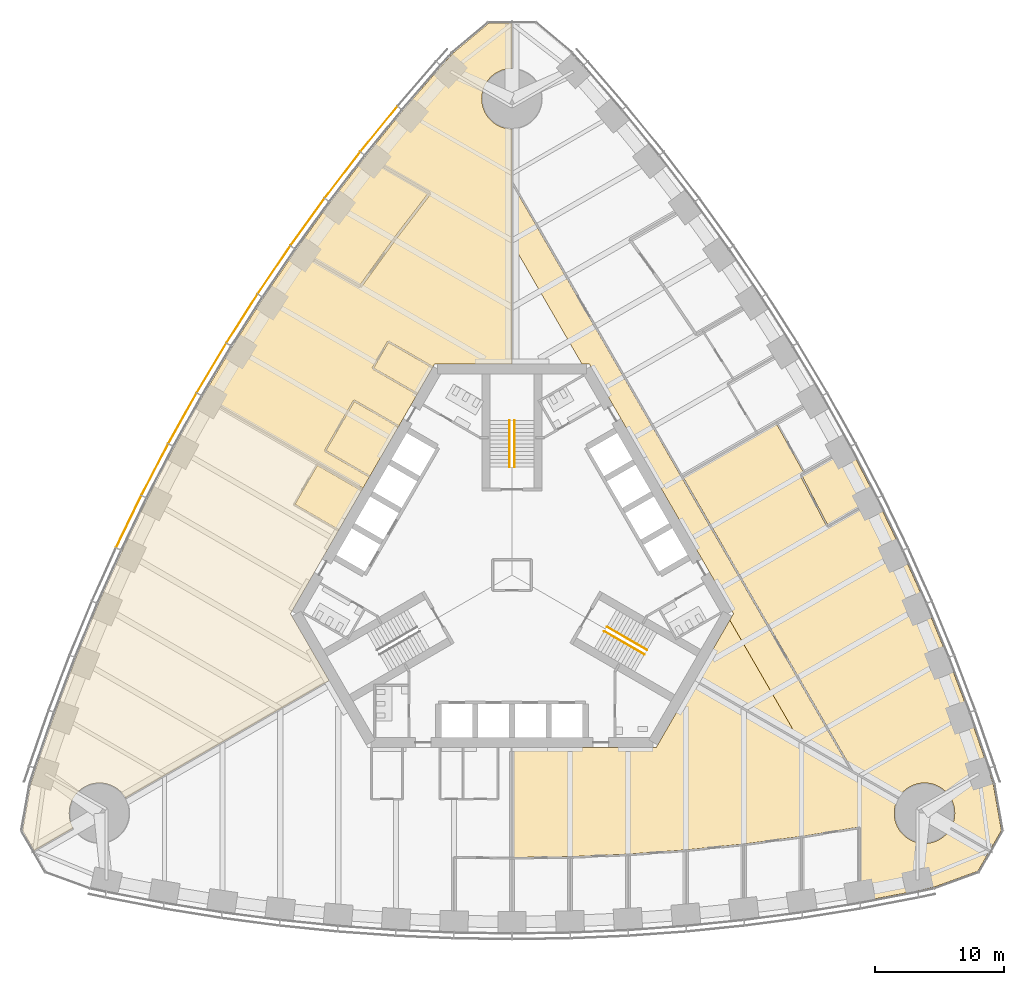
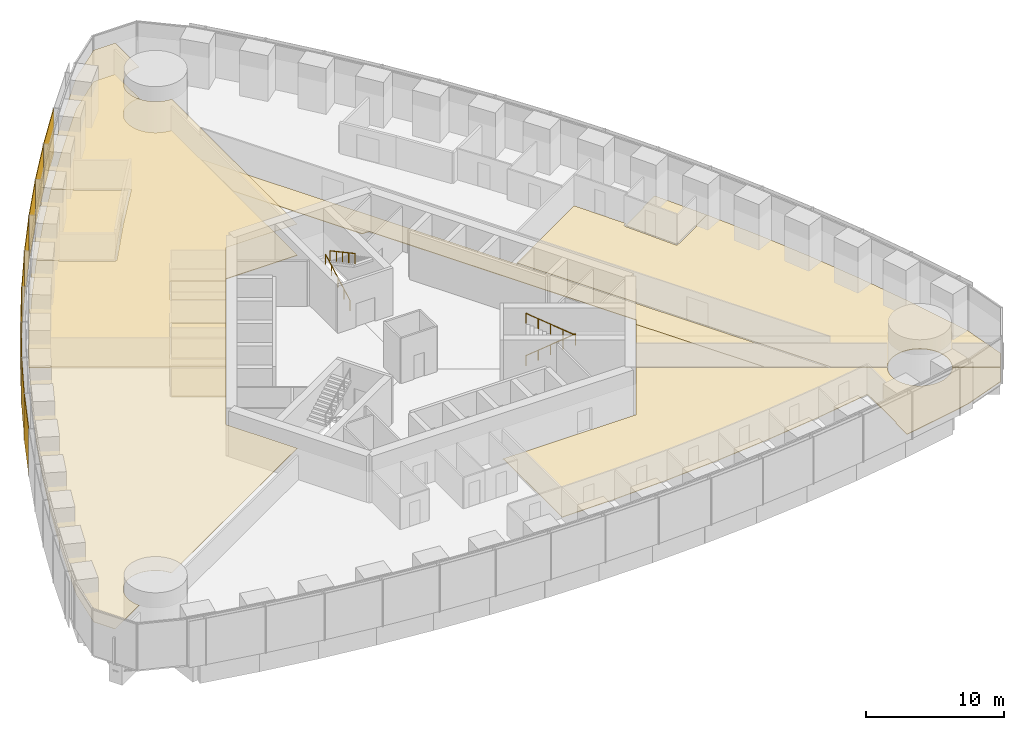
# One storey, part 15 of 18: 11 coverings, 9 shading devices, 4 railings.
"""IFC4 building model written with IfcOpenShell, lengths in metres."""

from ifc_helpers import new_model, si_unit, direction, frame, origin, origin_2d, place, context, subcontext, project, spatial, polyline, rectangle, circle, outline, extrude, material, layer, layer_set, type_object, element, save


model = new_model("IFC4")

# Units and contexts
model_context = context("Model", 3, precision=1e-05, world=origin(), true_north=direction((0.0, 1.0)))
body_context = subcontext(model_context, "Body", "Model", "MODEL_VIEW")
ifc_project = project(units=[si_unit("LENGTHUNIT", "METRE"), si_unit("AREAUNIT", "SQUARE_METRE"), si_unit("VOLUMEUNIT", "CUBIC_METRE"), si_unit("PLANEANGLEUNIT", "RADIAN"), si_unit("MASSUNIT", "GRAM", prefix="KILO")], contexts=[model_context])

# Site, building, storey
site_placement = place(None, origin())
site = spatial("IfcSite", under=ifc_project, at=site_placement, CompositionType="ELEMENT")
building_placement = place(site_placement, origin())
building = spatial("IfcBuilding", under=site, at=building_placement, Name="Trefoil Bronze Tower", CompositionType="ELEMENT")
storey_placement = place(building_placement, frame((0.0, 0.0, 66.89990234375)))
storey = spatial("IfcBuildingStorey", under=building, at=storey_placement, Name="L15", CompositionType="ELEMENT", Elevation=66.89990234375)

# Shading devices
ifc_material_1 = material(Name="Perforated bronze sheet", Category="bronze")
ifc_layer_1 = layer(ifc_material_1, 0.0400390625)
ifc_layer_set_1 = layer_set([ifc_layer_1], Name="Bronze solar screen panel")
shading_device_type = type_object("IfcShadingDeviceType", Name="Bronze solar screen panel", PredefinedType="SHUTTER", material=ifc_layer_set_1)
shading_device_1_placement = place(storey_placement, frame((-10.338623046875, 34.6474609375, 0.050048828125), z_axis=(0.0, 0.0, 1.0), x_axis=(-0.631810729457, -0.775122701346, 0.0)))
element("IfcShadingDevice", 1, at=shading_device_1_placement, inside=storey, type_object=shading_device_type, Name="Solar screen CW-A L15 F3 bay 3", PredefinedType="SHUTTER", context=body_context, shape_type="SweptSolid", body=[
    extrude(rectangle(XDim=4.5283203125, YDim=0.0400390625, at=origin_2d()), origin(), (0.0, 0.0, 1.0), 4.10009765625),
])
shading_device_2_placement = place(storey_placement, frame((-13.170166015625, 31.06787109375, 0.050048828125), z_axis=(0.0, 0.0, 1.0), x_axis=(-0.608807670879, -0.793317855515, 0.0)))
element("IfcShadingDevice", 2, at=shading_device_2_placement, inside=storey, type_object=shading_device_type, Name="Solar screen CW-A L15 F3 bay 4", PredefinedType="SHUTTER", context=body_context, shape_type="SweptSolid", body=[
    extrude(rectangle(XDim=4.5087890625, YDim=0.0400390625, at=origin_2d()), origin(), (0.0, 0.0, 1.0), 4.10009765625),
])
shading_device_3_placement = place(storey_placement, frame((-15.88525390625, 27.421142578125, 0.050048828125), z_axis=(0.0, 0.0, 1.0), x_axis=(-0.585372522213, -0.810764460394, 0.0)))
element("IfcShadingDevice", 3, at=shading_device_3_placement, inside=storey, type_object=shading_device_type, Name="Solar screen CW-A L15 F3 bay 5", PredefinedType="SHUTTER", context=body_context, shape_type="SweptSolid", body=[
    extrude(rectangle(XDim=4.493408203125, YDim=0.0400390625, at=origin_2d()), origin(), (0.0, 0.0, 1.0), 4.10009765625),
])
shading_device_4_placement = place(storey_placement, frame((-18.48486328125, 23.707763671875, 0.050048828125), z_axis=(0.0, 0.0, 1.0), x_axis=(-0.56150968077, -0.827470167681, 0.0)))
element("IfcShadingDevice", 4, at=shading_device_4_placement, inside=storey, type_object=shading_device_type, Name="Solar screen CW-A L15 F3 bay 6", PredefinedType="SHUTTER", context=body_context, shape_type="SweptSolid", body=[
    extrude(rectangle(XDim=4.48193359375, YDim=0.0400390625, at=origin_2d()), origin(), (0.0, 0.0, 1.0), 4.10009765625),
])
shading_device_5_placement = place(storey_placement, frame((-20.97021484375, 19.928466796875, 0.050048828125), z_axis=(0.0, 0.0, 1.0), x_axis=(-0.537222392469, -0.843440632783, 0.0)))
element("IfcShadingDevice", 5, at=shading_device_5_placement, inside=storey, type_object=shading_device_type, Name="Solar screen CW-A L15 F3 bay 7", PredefinedType="SHUTTER", context=body_context, shape_type="SweptSolid", body=[
    extrude(rectangle(XDim=4.474365234375, YDim=0.0400390625, at=origin_2d()), origin(), (0.0, 0.0, 1.0), 4.10009765625),
])
for number, where, z_axis, x_axis, name in (
    (6, (-23.341552734375, 16.083251953125, 0.050048828125), (0.0, 0.0, 1.0), (-0.51251279404, -0.858679588639, 0.0), "Solar screen CW-A L15 F3 bay 8"),
    (7, (-25.599365234375, 12.172607421875, 0.050048828125), (0.0, 0.0, 1.0), (-0.487381940453, -0.873188893722, 0.0), "Solar screen CW-A L15 F3 bay 9"),
):
    element("IfcShadingDevice", number, at=place(storey_placement, frame(where, z_axis=z_axis, x_axis=x_axis)), inside=storey, type_object=shading_device_type, Name=name, PredefinedType="SHUTTER", context=body_context, shape_type="SweptSolid", body=[
        extrude(rectangle(XDim=4.470458984375, YDim=0.0400390625, at=origin_2d()), origin(), (0.0, 0.0, 1.0), 4.10009765625),
    ])
shading_device_6_placement = place(storey_placement, frame((-27.74365234375, 8.1962890625, 0.050048828125), z_axis=(0.0, 0.0, 1.0), x_axis=(-0.46182981834, -0.886968555752, 0.0)))
element("IfcShadingDevice", 8, at=shading_device_6_placement, inside=storey, type_object=shading_device_type, Name="Solar screen CW-A L15 F3 bay 10", PredefinedType="SHUTTER", context=body_context, shape_type="SweptSolid", body=[
    extrude(rectangle(XDim=4.474365234375, YDim=0.0400390625, at=origin_2d()), origin(), (0.0, 0.0, 1.0), 4.10009765625),
])
shading_device_7_placement = place(storey_placement, frame((-29.77392578125, 4.154541015625, 0.050048828125), z_axis=(0.0, 0.0, 1.0), x_axis=(-0.4358553457, -0.900016731858, 0.0)))
element("IfcShadingDevice", 9, at=shading_device_7_placement, inside=storey, type_object=shading_device_type, Name="Solar screen CW-A L15 F3 bay 11", PredefinedType="SHUTTER", context=body_context, shape_type="SweptSolid", body=[
    extrude(rectangle(XDim=4.48193359375, YDim=0.0400390625, at=origin_2d()), origin(), (0.0, 0.0, 1.0), 4.10009765625),
])

# Railings
ifc_material_2 = material(Name="Steel handrail", Category="steel")
railing_type = type_object("IfcRailingType", Name="Handrail 900", PredefinedType="HANDRAIL", material=ifc_material_2)
railing_1_placement = place(storey_placement, frame((7.365966796875, -4.021728515625, 0.16162109375)))
element("IfcRailing", 10, at=railing_1_placement, inside=storey, type_object=railing_type, Name="Handrail ST1 flight 1 L15", PredefinedType="HANDRAIL", context=body_context, shape_type="SweptSolid", body=[
    extrude(circle(Radius=0.02392578125, at=origin_2d()), frame((0.0, 0.0, 0.8759765625), z_axis=(0.76250339821, -0.440245697338, 0.474101564745), x_axis=(0.500012057535, 0.866018442252, 0.0)), (0.0, 0.0, 1.0), 4.088623046875),
    extrude(circle(Radius=0.02099609375, at=origin_2d()), origin(), (0.0, 0.0, 1.0), 0.851806640625),
    extrude(circle(Radius=0.02099609375, at=origin_2d()), frame((0.779296875, -0.449951171875, 0.484619140625)), (0.0, 0.0, 1.0), 0.851806640625),
    extrude(circle(Radius=0.02099609375, at=origin_2d()), frame((1.558837890625, -0.89990234375, 0.96923828125)), (0.0, 0.0, 1.0), 0.851806640625),
    extrude(circle(Radius=0.02099609375, at=origin_2d()), frame((2.33837890625, -1.35009765625, 1.453857421875)), (0.0, 0.0, 1.0), 0.851806640625),
    extrude(circle(Radius=0.02099609375, at=origin_2d()), frame((3.11767578125, -1.800048828125, 1.9384765625)), (0.0, 0.0, 1.0), 0.851806640625),
])
railing_2_placement = place(storey_placement, frame((10.28369140625, -6.168212890625, 2.26171875)))
element("IfcRailing", 11, at=railing_2_placement, inside=storey, type_object=railing_type, Name="Handrail ST1 flight 2 L15", PredefinedType="HANDRAIL", context=body_context, shape_type="SweptSolid", body=[
    extrude(circle(Radius=0.02392578125, at=origin_2d()), frame((0.0, 0.0, 0.8759765625), z_axis=(-0.76250339821, 0.440245697338, 0.474101564745), x_axis=(-0.500012057535, -0.866018442252, 0.0)), (0.0, 0.0, 1.0), 4.088623046875),
    extrude(circle(Radius=0.02099609375, at=origin_2d()), origin(), (0.0, 0.0, 1.0), 0.851806640625),
    extrude(circle(Radius=0.02099609375, at=origin_2d()), frame((-0.779296875, 0.449951171875, 0.484619140625)), (0.0, 0.0, 1.0), 0.851806640625),
    extrude(circle(Radius=0.02099609375, at=origin_2d()), frame((-1.558837890625, 0.89990234375, 0.96923828125)), (0.0, 0.0, 1.0), 0.851806640625),
    extrude(circle(Radius=0.02099609375, at=origin_2d()), frame((-2.33837890625, 1.35009765625, 1.453857421875)), (0.0, 0.0, 1.0), 0.851806640625),
    extrude(circle(Radius=0.02099609375, at=origin_2d()), frame((-3.11767578125, 1.800048828125, 1.9384765625)), (0.0, 0.0, 1.0), 0.851806640625),
])
railing_3_placement = place(storey_placement, frame((-0.199951171875, 8.389892578125, 0.16162109375)))
element("IfcRailing", 12, at=railing_3_placement, inside=storey, type_object=railing_type, Name="Handrail ST2 flight 1 L15", PredefinedType="HANDRAIL", context=body_context, shape_type="SweptSolid", body=[
    extrude(circle(Radius=0.02392578125, at=origin_2d()), frame((0.0, 0.0, 0.8759765625), z_axis=(0.0, 0.880474934443, 0.474092701714), x_axis=(-1.0, 0.0, 0.0)), (0.0, 0.0, 1.0), 4.0888671875),
    extrude(circle(Radius=0.02099609375, at=origin_2d()), origin(), (0.0, 0.0, 1.0), 0.851806640625),
    extrude(circle(Radius=0.02099609375, at=origin_2d()), frame((0.0, 0.89990234375, 0.484619140625)), (0.0, 0.0, 1.0), 0.851806640625),
    extrude(circle(Radius=0.02099609375, at=origin_2d()), frame((0.0, 1.800048828125, 0.96923828125)), (0.0, 0.0, 1.0), 0.851806640625),
    extrude(circle(Radius=0.02099609375, at=origin_2d()), frame((0.0, 2.7001953125, 1.453857421875)), (0.0, 0.0, 1.0), 0.851806640625),
    extrude(circle(Radius=0.02099609375, at=origin_2d()), frame((0.0, 3.60009765625, 1.9384765625)), (0.0, 0.0, 1.0), 0.851806640625),
])
railing_4_placement = place(storey_placement, frame((0.199951171875, 11.989990234375, 2.26171875)))
element("IfcRailing", 13, at=railing_4_placement, inside=storey, type_object=railing_type, Name="Handrail ST2 flight 2 L15", PredefinedType="HANDRAIL", context=body_context, shape_type="SweptSolid", body=[
    extrude(circle(Radius=0.02392578125, at=origin_2d()), frame((0.0, 0.0, 0.8759765625), z_axis=(0.0, -0.880474934443, 0.474092701714), x_axis=(1.0, 0.0, 0.0)), (0.0, 0.0, 1.0), 4.0888671875),
    extrude(circle(Radius=0.02099609375, at=origin_2d()), origin(), (0.0, 0.0, 1.0), 0.851806640625),
    extrude(circle(Radius=0.02099609375, at=origin_2d()), frame((0.0, -0.89990234375, 0.484619140625)), (0.0, 0.0, 1.0), 0.851806640625),
    extrude(circle(Radius=0.02099609375, at=origin_2d()), frame((0.0, -1.800048828125, 0.96923828125)), (0.0, 0.0, 1.0), 0.851806640625),
    extrude(circle(Radius=0.02099609375, at=origin_2d()), frame((0.0, -2.7001953125, 1.453857421875)), (0.0, 0.0, 1.0), 0.851806640625),
    extrude(circle(Radius=0.02099609375, at=origin_2d()), frame((0.0, -3.60009765625, 1.9384765625)), (0.0, 0.0, 1.0), 0.851806640625),
])

# Coverings
ifc_material_3 = material(Name="Acoustic ceiling panels", Category="mineral fibre")
ifc_layer_2 = layer(ifc_material_3, 0.02001953125)
ifc_layer_set_2 = layer_set([ifc_layer_2], Name="Office ceiling 20")
covering_type_1 = type_object("IfcCoveringType", Name="Office ceiling 20", PredefinedType="CEILING", material=ifc_layer_set_2)
covering_1_placement = place(storey_placement, frame((0.0, 0.0, 2.900146484375)))
element("IfcCovering", 14, at=covering_1_placement, inside=storey, type_object=covering_type_1, Name="Ceiling L15 Open-plan office F3", PredefinedType="CEILING", context=body_context, shape_type="SweptSolid", body=[
    extrude(outline(polyline([(-36.9814453125, -15.021728515625), (-35.47998046875, -10.6923828125), (-33.860107421875, -6.431640625), (-32.123291015625, -2.23828125), (-30.271240234375, 1.888671875), (-28.3046875, 5.949462890625), (-26.224609375, 9.944580078125), (-24.031005859375, 13.87451171875), (-21.724609375, 17.73876953125), (-19.3046875, 21.537841796875), (-16.771240234375, 25.271484375), (-14.123291015625, 28.938720703125), (-11.360107421875, 32.53955078125), (-8.47998046875, 36.072998046875), (-5.4814453125, 39.537841796875), (-4.618896484375, 40.497314453125), (-1.82421875, 42.84228515625), (-0.01611328125, 42.84228515625), (-0.014892578125, 39.349609375), (-0.115234375, 39.34716796875), (-0.230224609375, 39.338623046875), (-0.3447265625, 39.32470703125), (-0.45849609375, 39.3046875), (-0.571044921875, 39.279541015625), (-0.68212890625, 39.248779296875), (-0.791748046875, 39.212646484375), (-0.8994140625, 39.171142578125), (-1.0048828125, 39.12451171875), (-1.10791015625, 39.072509765625), (-1.2080078125, 39.015625), (-1.3056640625, 38.9541015625), (-1.39990234375, 38.887451171875), (-1.49072265625, 38.816650390625), (-1.578125, 38.7412109375), (-1.66162109375, 38.66162109375), (-1.7412109375, 38.578125), (-1.816650390625, 38.49072265625), (-1.887451171875, 38.39990234375), (-1.9541015625, 38.3056640625), (-2.015625, 38.2080078125), (-2.072509765625, 38.10791015625), (-2.12451171875, 38.0048828125), (-2.171142578125, 37.8994140625), (-2.212646484375, 37.791748046875), (-2.248779296875, 37.68212890625), (-2.279541015625, 37.571044921875), (-2.3046875, 37.45849609375), (-2.32470703125, 37.3447265625), (-2.338623046875, 37.230224609375), (-2.34716796875, 37.115234375), (-2.35009765625, 37.0), (-2.34716796875, 36.884765625), (-2.338623046875, 36.769775390625), (-2.32470703125, 36.6552734375), (-2.3046875, 36.54150390625), (-2.279541015625, 36.428955078125), (-2.248779296875, 36.31787109375), (-2.212646484375, 36.208251953125), (-2.171142578125, 36.1005859375), (-2.12451171875, 35.9951171875), (-2.072509765625, 35.89208984375), (-2.015625, 35.7919921875), (-1.9541015625, 35.6943359375), (-1.887451171875, 35.60009765625), (-1.816650390625, 35.50927734375), (-1.7412109375, 35.421875), (-1.66162109375, 35.33837890625), (-1.578125, 35.2587890625), (-1.49072265625, 35.183349609375), (-1.39990234375, 35.112548828125), (-1.3056640625, 35.0458984375), (-1.2080078125, 34.984375), (-1.10791015625, 34.927490234375), (-1.0048828125, 34.87548828125), (-0.8994140625, 34.828857421875), (-0.791748046875, 34.787353515625), (-0.68212890625, 34.751220703125), (-0.571044921875, 34.720458984375), (-0.45849609375, 34.6953125), (-0.3447265625, 34.67529296875), (-0.230224609375, 34.661376953125), (-0.115234375, 34.65283203125), (-0.012939453125, 34.650390625), (-0.006103515625, 16.39990234375), (-6.00439453125, 16.39990234375), (-17.205078125, -3.0), (-14.205810546875, -8.194580078125), (-30.0146484375, -17.31396484375), (-30.02734375, -17.2919921875), (-30.089111328125, -17.1943359375), (-30.155517578125, -17.10009765625), (-30.226318359375, -17.00927734375), (-30.3017578125, -16.921875), (-30.381103515625, -16.83837890625), (-30.46484375, -16.7587890625), (-30.552001953125, -16.683349609375), (-30.64306640625, -16.612548828125), (-30.7373046875, -16.5458984375), (-30.834716796875, -16.484375), (-30.935302734375, -16.427490234375), (-31.0380859375, -16.37548828125), (-31.1435546875, -16.328857421875), (-31.251220703125, -16.287353515625), (-31.36083984375, -16.251220703125), (-31.471923828125, -16.220458984375), (-31.58447265625, -16.1953125), (-31.697998046875, -16.17529296875), (-31.8125, -16.161376953125), (-31.927490234375, -16.15283203125), (-32.04296875, -16.14990234375), (-32.158203125, -16.15283203125), (-32.273193359375, -16.161376953125), (-32.3876953125, -16.17529296875), (-32.50146484375, -16.1953125), (-32.614013671875, -16.220458984375), (-32.72509765625, -16.251220703125), (-32.834716796875, -16.287353515625), (-32.942138671875, -16.328857421875), (-33.047607421875, -16.37548828125), (-33.150634765625, -16.427490234375), (-33.251220703125, -16.484375), (-33.348388671875, -16.5458984375), (-33.44287109375, -16.612548828125), (-33.53369140625, -16.683349609375), (-33.62109375, -16.7587890625), (-33.70458984375, -16.83837890625), (-33.7841796875, -16.921875), (-33.859619140625, -17.00927734375), (-33.930419921875, -17.10009765625), (-33.996826171875, -17.1943359375), (-34.05859375, -17.2919921875), (-34.115478515625, -17.39208984375), (-34.167236328125, -17.4951171875), (-34.214111328125, -17.6005859375), (-34.255615234375, -17.708251953125), (-34.291748046875, -17.81787109375), (-34.322509765625, -17.928955078125), (-34.347900390625, -18.04150390625), (-34.367431640625, -18.1552734375), (-34.381591796875, -18.269775390625), (-34.39013671875, -18.384765625), (-34.392822265625, -18.5), (-34.39013671875, -18.615234375), (-34.381591796875, -18.730224609375), (-34.367431640625, -18.8447265625), (-34.347900390625, -18.95849609375), (-34.322509765625, -19.071044921875), (-34.291748046875, -19.18212890625), (-34.255615234375, -19.291748046875), (-34.214111328125, -19.3994140625), (-34.167236328125, -19.5048828125), (-34.115478515625, -19.60791015625), (-34.084716796875, -19.661865234375), (-37.110595703125, -21.4072265625), (-38.0146484375, -19.841552734375), (-37.381103515625, -16.248779296875), (-36.9814453125, -15.021728515625)])), origin(), (0.0, 0.0, 1.0), 0.02001953125),
])
ifc_material_4 = material(Name="Raised access floor panels", Category="steel")
ifc_layer_3 = layer(ifc_material_4, 0.050048828125)
ifc_layer_set_3 = layer_set([ifc_layer_3], Name="Raised access floor 150")
covering_type_2 = type_object("IfcCoveringType", Name="Raised access floor 150", PredefinedType="FLOORING", material=ifc_layer_set_3)
covering_2_placement = place(storey_placement, frame((0.0, 0.0, 0.10009765625)))
element("IfcCovering", 15, at=covering_2_placement, inside=storey, type_object=covering_type_2, Name="Raised floor L15 Open-plan office F1", PredefinedType="FLOORING", context=body_context, shape_type="SweptSolid", body=[
    extrude(outline(polyline([(27.0, -23.72509765625), (27.06005859375, -23.72509765625), (27.06005859375, -19.63037109375), (27.0, -19.63037109375), (26.990478515625, -19.571044921875), (22.4912109375, -20.298583984375), (17.992919921875, -20.89111328125), (13.494873046875, -21.350341796875), (8.99658203125, -21.677490234375), (4.498291015625, -21.873291015625), (0.074951171875, -21.9375), (0.074951171875, -13.409912109375), (0.0009765625, -13.409912109375), (0.0009765625, -13.39990234375), (11.20068359375, -13.39990234375), (14.19970703125, -8.205322265625), (30.001953125, -17.336669921875), (29.970458984375, -17.39208984375), (29.918701171875, -17.4951171875), (29.871826171875, -17.6005859375), (29.830322265625, -17.708251953125), (29.794189453125, -17.81787109375), (29.763427734375, -17.928955078125), (29.738037109375, -18.04150390625), (29.718505859375, -18.1552734375), (29.704345703125, -18.269775390625), (29.69580078125, -18.384765625), (29.69287109375, -18.5), (29.69580078125, -18.615234375), (29.704345703125, -18.730224609375), (29.718505859375, -18.8447265625), (29.738037109375, -18.95849609375), (29.763427734375, -19.071044921875), (29.794189453125, -19.18212890625), (29.830322265625, -19.291748046875), (29.871826171875, -19.3994140625), (29.918701171875, -19.5048828125), (29.970458984375, -19.60791015625), (30.02734375, -19.7080078125), (30.089111328125, -19.8056640625), (30.155517578125, -19.89990234375), (30.226318359375, -19.99072265625), (30.3017578125, -20.078125), (30.381103515625, -20.16162109375), (30.46484375, -20.2412109375), (30.552001953125, -20.316650390625), (30.64306640625, -20.387451171875), (30.7373046875, -20.4541015625), (30.834716796875, -20.515625), (30.935302734375, -20.572509765625), (31.0380859375, -20.62451171875), (31.1435546875, -20.671142578125), (31.251220703125, -20.712646484375), (31.36083984375, -20.748779296875), (31.471923828125, -20.779541015625), (31.58447265625, -20.8046875), (31.697998046875, -20.82470703125), (31.8125, -20.838623046875), (31.927490234375, -20.84716796875), (32.04296875, -20.85009765625), (32.158203125, -20.84716796875), (32.273193359375, -20.838623046875), (32.3876953125, -20.82470703125), (32.50146484375, -20.8046875), (32.614013671875, -20.779541015625), (32.72509765625, -20.748779296875), (32.834716796875, -20.712646484375), (32.942138671875, -20.671142578125), (33.047607421875, -20.62451171875), (33.150634765625, -20.572509765625), (33.251220703125, -20.515625), (33.348388671875, -20.4541015625), (33.44287109375, -20.387451171875), (33.53369140625, -20.316650390625), (33.62109375, -20.2412109375), (33.70458984375, -20.16162109375), (33.7841796875, -20.078125), (33.859619140625, -19.99072265625), (33.930419921875, -19.89990234375), (33.996826171875, -19.8056640625), (34.0703125, -19.6875), (37.094482421875, -21.43505859375), (36.190673828125, -23.0009765625), (32.762451171875, -24.248779296875), (31.5, -24.51611328125), (27.0, -25.38037109375), (27.0, -23.72509765625)])), origin(), (0.0, 0.0, 1.0), 0.050048828125),
])
covering_3_placement = place(storey_placement, frame((0.0, 0.0, 0.10009765625)))
element("IfcCovering", 16, at=covering_3_placement, inside=storey, type_object=covering_type_2, Name="Raised floor L15 Pantry F2", PredefinedType="FLOORING", context=body_context, shape_type="SweptSolid", body=[
    extrude(outline(polyline([(26.224609375, 9.944580078125), (28.3046875, 5.949462890625), (26.890869140625, 5.133056640625), (26.86083984375, 5.18505859375), (24.54443359375, 3.84765625), (22.519775390625, 7.736328125), (24.84228515625, 9.077392578125), (24.812255859375, 9.12939453125), (26.224609375, 9.944580078125)])), origin(), (0.0, 0.0, 1.0), 0.050048828125),
])
covering_4_placement = place(storey_placement, frame((0.0, 0.0, 0.10009765625)))
element("IfcCovering", 17, at=covering_4_placement, inside=storey, type_object=covering_type_2, Name="Raised floor L15 Corridor F2", PredefinedType="FLOORING", context=body_context, shape_type="SweptSolid", body=[
    extrude(outline(polyline([(26.31591796875, -15.180419921875), (22.333740234375, -12.88330078125), (16.91650390625, -3.5), (17.205078125, -3.0), (6.00439453125, 16.39990234375), (5.427001953125, 16.39990234375), (0.009765625, 25.783203125), (0.011474609375, 30.38037109375), (26.31591796875, -15.180419921875)])), origin(), (0.0, 0.0, 1.0), 0.050048828125),
])
covering_5_placement = place(storey_placement, frame((0.0, 0.0, 0.10009765625)))
element("IfcCovering", 18, at=covering_5_placement, inside=storey, type_object=covering_type_2, Name="Raised floor L15 Open-plan office F2", PredefinedType="FLOORING", context=body_context, shape_type="SweptSolid", body=[
    extrude(outline(polyline([(30.089111328125, -17.1943359375), (30.02734375, -17.2919921875), (30.0146484375, -17.31396484375), (26.40966796875, -15.234375), (26.466552734375, -15.201416015625), (13.304931640625, 7.594970703125), (20.52978515625, 11.766357421875), (22.65771484375, 7.95458984375), (22.409912109375, 7.8115234375), (22.43994140625, 7.759521484375), (22.38671875, 7.73193359375), (24.467041015625, 3.73681640625), (24.520263671875, 3.764404296875), (24.55029296875, 3.71240234375), (26.9208984375, 5.0810546875), (26.890869140625, 5.133056640625), (28.3046875, 5.949462890625), (30.271240234375, 1.888671875), (32.123291015625, -2.23828125), (33.860107421875, -6.431640625), (35.47998046875, -10.6923828125), (36.9814453125, -15.021728515625), (37.381103515625, -16.248779296875), (38.0146484375, -19.841552734375), (37.110595703125, -21.4072265625), (34.084716796875, -19.661865234375), (34.115478515625, -19.60791015625), (34.167236328125, -19.5048828125), (34.214111328125, -19.3994140625), (34.255615234375, -19.291748046875), (34.291748046875, -19.18212890625), (34.322509765625, -19.071044921875), (34.347900390625, -18.95849609375), (34.367431640625, -18.8447265625), (34.381591796875, -18.730224609375), (34.39013671875, -18.615234375), (34.392822265625, -18.5), (34.39013671875, -18.384765625), (34.381591796875, -18.269775390625), (34.367431640625, -18.1552734375), (34.347900390625, -18.04150390625), (34.322509765625, -17.928955078125), (34.291748046875, -17.81787109375), (34.255615234375, -17.708251953125), (34.214111328125, -17.6005859375), (34.167236328125, -17.4951171875), (34.115478515625, -17.39208984375), (34.05859375, -17.2919921875), (33.996826171875, -17.1943359375), (33.930419921875, -17.10009765625), (33.859619140625, -17.00927734375), (33.7841796875, -16.921875), (33.70458984375, -16.83837890625), (33.62109375, -16.7587890625), (33.53369140625, -16.683349609375), (33.44287109375, -16.612548828125), (33.348388671875, -16.5458984375), (33.251220703125, -16.484375), (33.150634765625, -16.427490234375), (33.047607421875, -16.37548828125), (32.942138671875, -16.328857421875), (32.834716796875, -16.287353515625), (32.72509765625, -16.251220703125), (32.614013671875, -16.220458984375), (32.50146484375, -16.1953125), (32.3876953125, -16.17529296875), (32.273193359375, -16.161376953125), (32.158203125, -16.15283203125), (32.04296875, -16.14990234375), (31.927490234375, -16.15283203125), (31.8125, -16.161376953125), (31.697998046875, -16.17529296875), (31.58447265625, -16.1953125), (31.471923828125, -16.220458984375), (31.36083984375, -16.251220703125), (31.251220703125, -16.287353515625), (31.1435546875, -16.328857421875), (31.0380859375, -16.37548828125), (30.935302734375, -16.427490234375), (30.834716796875, -16.484375), (30.7373046875, -16.5458984375), (30.64306640625, -16.612548828125), (30.552001953125, -16.683349609375), (30.46484375, -16.7587890625), (30.381103515625, -16.83837890625), (30.3017578125, -16.921875), (30.226318359375, -17.00927734375), (30.155517578125, -17.10009765625), (30.089111328125, -17.1943359375)])), origin(), (0.0, 0.0, 1.0), 0.050048828125),
])
covering_6_placement = place(storey_placement, frame((0.0, 0.0, 0.10009765625)))
element("IfcCovering", 19, at=covering_6_placement, inside=storey, type_object=covering_type_2, Name="Raised floor L15 Open-plan office F2", PredefinedType="FLOORING", context=body_context, shape_type="SweptSolid", body=[
    extrude(outline(polyline([(22.333740234375, -12.88330078125), (14.205810546875, -8.194580078125), (16.91650390625, -3.5), (22.333740234375, -12.88330078125)])), origin(), (0.0, 0.0, 1.0), 0.050048828125),
])
covering_7_placement = place(storey_placement, frame((0.0, 0.0, 0.10009765625)))
element("IfcCovering", 20, at=covering_7_placement, inside=storey, type_object=covering_type_2, Name="Raised floor L15 Project room F3", PredefinedType="FLOORING", context=body_context, shape_type="SweptSolid", body=[
    extrude(outline(polyline([(-11.024658203125, 7.70458984375), (-14.43701171875, 9.674560546875), (-12.246826171875, 13.4677734375), (-8.834716796875, 11.497802734375), (-11.024658203125, 7.70458984375)])), origin(), (0.0, 0.0, 1.0), 0.050048828125),
])
covering_8_placement = place(storey_placement, frame((0.0, 0.0, 0.10009765625)))
element("IfcCovering", 21, at=covering_8_placement, inside=storey, type_object=covering_type_2, Name="Raised floor L15 Meeting room F3", PredefinedType="FLOORING", context=body_context, shape_type="SweptSolid", body=[
    extrude(outline(polyline([(-13.437255859375, 3.52587890625), (-16.849365234375, 5.49609375), (-15.109375, 8.509765625), (-11.697265625, 6.539794921875), (-13.437255859375, 3.52587890625)])), origin(), (0.0, 0.0, 1.0), 0.050048828125),
])
covering_9_placement = place(storey_placement, frame((0.0, 0.0, 0.10009765625)))
element("IfcCovering", 22, at=covering_9_placement, inside=storey, type_object=covering_type_2, Name="Raised floor L15 Store F3", PredefinedType="FLOORING", context=body_context, shape_type="SweptSolid", body=[
    extrude(outline(polyline([(-7.32470703125, 14.11328125), (-10.73681640625, 16.083251953125), (-9.596923828125, 18.0576171875), (-6.184814453125, 16.087646484375), (-7.32470703125, 14.11328125)])), origin(), (0.0, 0.0, 1.0), 0.050048828125),
])
covering_10_placement = place(storey_placement, frame((0.0, 0.0, 0.10009765625)))
element("IfcCovering", 23, at=covering_10_placement, inside=storey, type_object=covering_type_2, Name="Raised floor L15 Training room F3", PredefinedType="FLOORING", context=body_context, shape_type="SweptSolid", body=[
    extrude(outline(polyline([(-14.123291015625, 28.938720703125), (-11.360107421875, 32.53955078125), (-9.93359375, 31.7158203125), (-9.9833984375, 31.62939453125), (-6.529296875, 29.635009765625), (-9.22314453125, 26.12451171875), (-9.143798828125, 26.063720703125), (-9.224853515625, 26.122314453125), (-11.81982421875, 22.528076171875), (-15.30419921875, 24.539794921875), (-15.354248046875, 24.453369140625), (-16.771240234375, 25.271484375), (-14.123291015625, 28.938720703125)])), origin(), (0.0, 0.0, 1.0), 0.050048828125),
])
covering_11_placement = place(storey_placement, frame((0.0, 0.0, 0.10009765625)))
element("IfcCovering", 24, at=covering_11_placement, inside=storey, type_object=covering_type_2, Name="Raised floor L15 Open-plan office F3", PredefinedType="FLOORING", context=body_context, shape_type="SweptSolid", body=[
    extrude(outline(polyline([(-24.030517578125, 13.875244140625), (-21.724609375, 17.73876953125), (-19.3046875, 21.537841796875), (-16.771240234375, 25.271484375), (-15.354248046875, 24.453369140625), (-15.404296875, 24.36669921875), (-11.841552734375, 22.309814453125), (-11.79150390625, 22.396484375), (-11.710693359375, 22.337890625), (-9.0634765625, 26.00390625), (-6.301025390625, 29.603515625), (-6.380615234375, 29.66455078125), (-6.33056640625, 29.751220703125), (-9.883544921875, 31.802490234375), (-9.93359375, 31.7158203125), (-11.360107421875, 32.53955078125), (-8.47998046875, 36.072998046875), (-5.4814453125, 39.537841796875), (-4.618896484375, 40.497314453125), (-1.82421875, 42.84228515625), (-0.01611328125, 42.84228515625), (-0.014892578125, 39.349609375), (-0.115234375, 39.34716796875), (-0.230224609375, 39.338623046875), (-0.3447265625, 39.32470703125), (-0.45849609375, 39.3046875), (-0.571044921875, 39.279541015625), (-0.68212890625, 39.248779296875), (-0.791748046875, 39.212646484375), (-0.8994140625, 39.171142578125), (-1.0048828125, 39.12451171875), (-1.10791015625, 39.072509765625), (-1.2080078125, 39.015625), (-1.3056640625, 38.9541015625), (-1.39990234375, 38.887451171875), (-1.49072265625, 38.816650390625), (-1.578125, 38.7412109375), (-1.66162109375, 38.66162109375), (-1.7412109375, 38.578125), (-1.816650390625, 38.49072265625), (-1.887451171875, 38.39990234375), (-1.9541015625, 38.3056640625), (-2.015625, 38.2080078125), (-2.072509765625, 38.10791015625), (-2.12451171875, 38.0048828125), (-2.171142578125, 37.8994140625), (-2.212646484375, 37.791748046875), (-2.248779296875, 37.68212890625), (-2.279541015625, 37.571044921875), (-2.3046875, 37.45849609375), (-2.32470703125, 37.3447265625), (-2.338623046875, 37.230224609375), (-2.34716796875, 37.115234375), (-2.35009765625, 37.0), (-2.34716796875, 36.884765625), (-2.338623046875, 36.769775390625), (-2.32470703125, 36.6552734375), (-2.3046875, 36.54150390625), (-2.279541015625, 36.428955078125), (-2.248779296875, 36.31787109375), (-2.212646484375, 36.208251953125), (-2.171142578125, 36.1005859375), (-2.12451171875, 35.9951171875), (-2.072509765625, 35.89208984375), (-2.015625, 35.7919921875), (-1.9541015625, 35.6943359375), (-1.887451171875, 35.60009765625), (-1.816650390625, 35.50927734375), (-1.7412109375, 35.421875), (-1.66162109375, 35.33837890625), (-1.578125, 35.2587890625), (-1.49072265625, 35.183349609375), (-1.39990234375, 35.112548828125), (-1.3056640625, 35.0458984375), (-1.2080078125, 34.984375), (-1.10791015625, 34.927490234375), (-1.0048828125, 34.87548828125), (-0.8994140625, 34.828857421875), (-0.791748046875, 34.787353515625), (-0.68212890625, 34.751220703125), (-0.571044921875, 34.720458984375), (-0.45849609375, 34.6953125), (-0.3447265625, 34.67529296875), (-0.230224609375, 34.661376953125), (-0.115234375, 34.65283203125), (-0.012939453125, 34.650390625), (-0.006103515625, 16.39990234375), (-6.00439453125, 16.39990234375), (-6.124755859375, 16.191650390625), (-9.5888671875, 18.191650390625), (-9.618896484375, 18.1396484375), (-9.6708984375, 18.169677734375), (-10.870849609375, 16.09130859375), (-10.81884765625, 16.061279296875), (-10.848876953125, 16.00927734375), (-7.384765625, 14.00927734375), (-8.774658203125, 11.601806640625), (-12.23876953125, 13.601806640625), (-12.268798828125, 13.5498046875), (-12.32080078125, 13.57958984375), (-14.57080078125, 9.6826171875), (-14.518798828125, 9.652587890625), (-14.548828125, 9.6005859375), (-11.084716796875, 7.6005859375), (-11.604248046875, 6.700927734375), (-11.61279296875, 6.705810546875), (-11.575927734375, 6.77001953125), (-22.58203125, 13.124267578125), (-22.618896484375, 13.060302734375), (-24.030517578125, 13.875244140625)])), origin(), (0.0, 0.0, 1.0), 0.050048828125),
])

save(model, "model.ifc")
